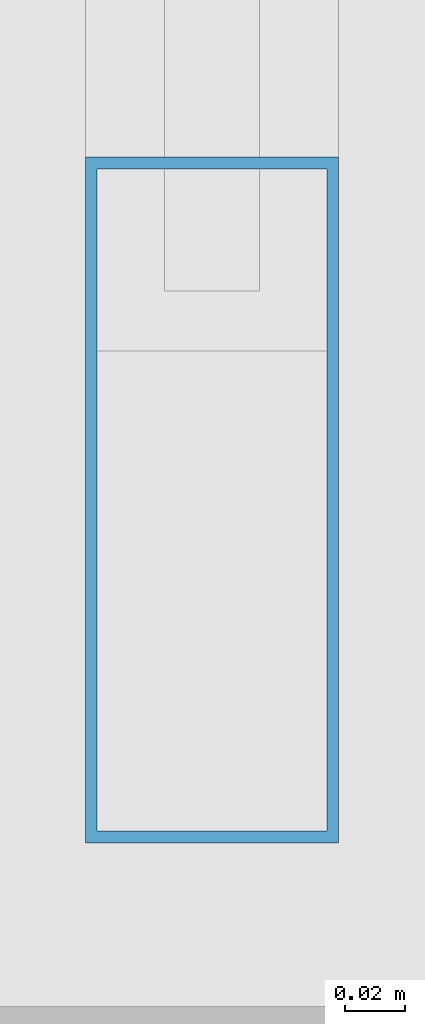
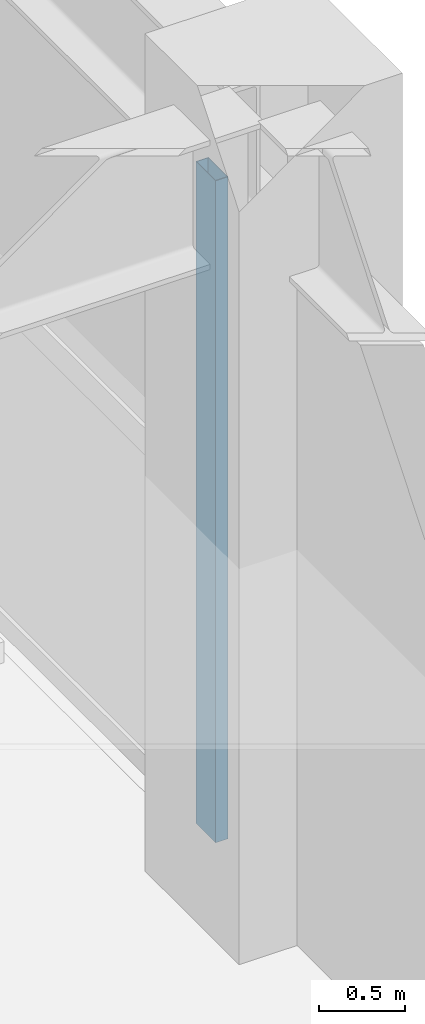
# One storey, part 26 of 41: 1 member, 1 element without a shape of its own.
"""IFC4 building model written with IfcOpenShell, lengths in metres."""

from ifc_helpers import new_model, si_unit, direction, frame, origin, origin_2d, place, context, subcontext, project, spatial, hollow_rectangle, extrude, material, material_profile, profile_set, type_object, element, aggregate, save


model = new_model("IFC4")

# Units and contexts
model_context = context("Model", 3, precision=1e-05, world=origin(), true_north=direction((0.0, 1.0)))
body_context = subcontext(model_context, "Body", "Model", "MODEL_VIEW")
ifc_project = project(units=[si_unit("LENGTHUNIT", "METRE"), si_unit("AREAUNIT", "SQUARE_METRE"), si_unit("VOLUMEUNIT", "CUBIC_METRE"), si_unit("PLANEANGLEUNIT", "RADIAN"), si_unit("MASSUNIT", "GRAM", prefix="KILO")], contexts=[model_context])

# Site, building, storey
site_placement = place(None, origin())
site = spatial("IfcSite", under=ifc_project, at=site_placement, CompositionType="ELEMENT")
building_placement = place(site_placement, origin())
building = spatial("IfcBuilding", under=site, at=building_placement, Name="Kovane Verandah Tower", CompositionType="ELEMENT")
storey_placement = place(building_placement, origin())
storey = spatial("IfcBuildingStorey", under=building, at=storey_placement, Name="L00", CompositionType="ELEMENT", Elevation=0.0)

# Curtain wall, member
ifc_material_1 = material(Name="Champagne Anodised Aluminium Frame with Low-E Clear Laminated Glass", Category="aluminium")
curtain_wall_type = type_object("IfcCurtainWallType", Name="CW-SYS-01-POD", PredefinedType="NOTDEFINED", material=ifc_material_1)
curtain_wall_placement = place(storey_placement, origin())
curtain_wall = element("IfcCurtainWall", 1, at=curtain_wall_placement, inside=storey, type_object=curtain_wall_type, Name="Ground East Shopfront Curtain Wall Bay 5", PredefinedType="NOTDEFINED")
ifc_material_2 = material(Name="Champagne Anodised Aluminium 6063-T6", Category="aluminium")
ifc_material_profile = material_profile(ifc_material_2, hollow_rectangle(XDim=0.0849609375, YDim=0.22998046875, WallThickness=0.00390625, at=origin_2d()), Name="AL85x230x4")
ifc_profile_set = profile_set([ifc_material_profile], Name="Champagne Anodised Aluminium 6063-T6")
member_type = type_object("IfcMemberType", Name="CW-MUL-85x230", PredefinedType="MULLION", material=ifc_profile_set)
member_placement = place(storey_placement, frame((82.0, 44.919921875, 0.02001953125), z_axis=(0.0, 0.0, 1.0), x_axis=(1.0, 0.0, 0.0)))
member = element("IfcMember", 2, at=member_placement, type_object=member_type, Name="Ground East Shopfront Curtain Wall Bay 5 Mullion 1", PredefinedType="MULLION", context=body_context, shape_type="SweptSolid", body=[
    extrude(hollow_rectangle(XDim=0.0849609375, YDim=0.22998046875, WallThickness=0.00390625, at=origin_2d()), origin(), (0.0, 0.0, 1.0), 4.718994140625),
])
aggregate(curtain_wall, [member])

save(model, "model.ifc")
